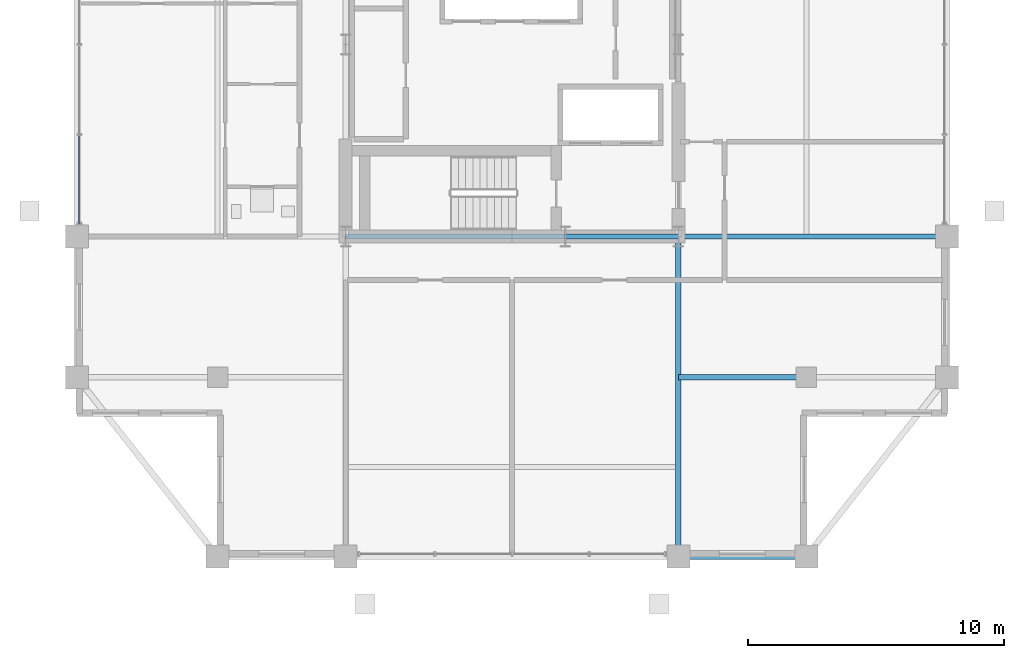
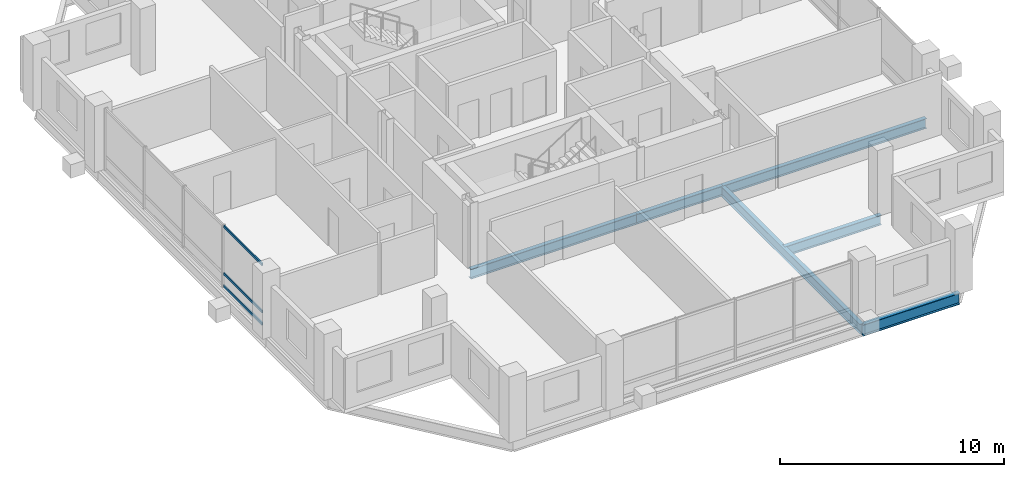
# One storey, part 5 of 21: 6 beams, 3 members, 1 element without a shape of its own.
"""IFC4 building model written with IfcOpenShell, lengths in metres."""

from ifc_helpers import new_model, si_unit, direction, frame, origin, origin_2d, place, context, subcontext, project, spatial, hollow_rectangle, i_section, extrude, material, layer, layer_set, material_profile, profile_set, type_object, element, aggregate, save


model = new_model("IFC4")

# Units and contexts
model_context = context("Model", 3, precision=1e-05, world=origin(), true_north=direction((0.0, 1.0)))
body_context = subcontext(model_context, "Body", "Model", "MODEL_VIEW")
ifc_project = project(units=[si_unit("LENGTHUNIT", "METRE"), si_unit("AREAUNIT", "SQUARE_METRE"), si_unit("VOLUMEUNIT", "CUBIC_METRE"), si_unit("PLANEANGLEUNIT", "RADIAN"), si_unit("MASSUNIT", "GRAM", prefix="KILO")], contexts=[model_context])

# Site, building, storey
site_placement = place(None, origin())
site = spatial("IfcSite", under=ifc_project, at=site_placement, CompositionType="ELEMENT")
building_placement = place(site_placement, origin())
building = spatial("IfcBuilding", under=site, at=building_placement, Name="Barlavira Tower and Art Museum", CompositionType="ELEMENT")
storey_placement = place(building_placement, frame((0.0, 0.0, 222.300048828125)))
storey = spatial("IfcBuildingStorey", under=building, at=storey_placement, Name="L57", CompositionType="ELEMENT", Elevation=222.300048828125)

# Curtain wall, members
ifc_material_1 = material(Name="Low-iron coastal laminated glass", Category="glass")
ifc_layer = layer(ifc_material_1, 0.2099609375, Name="Low-iron coastal laminated glass")
ifc_layer_set = layer_set([ifc_layer], Name="Low-iron coastal laminated glass")
curtain_wall_type = type_object("IfcCurtainWallType", Name="Pale-Metal Unitised Curtain Wall Zone 4", PredefinedType="NOTDEFINED", material=ifc_layer_set)
curtain_wall_placement = place(storey_placement, origin())
curtain_wall = element("IfcCurtainWall", 1, at=curtain_wall_placement, inside=storey, type_object=curtain_wall_type, Name="L57 Curtain Wall CW4-L57-W-B3", PredefinedType="NOTDEFINED")
ifc_material_2 = material(Name="Pale anodised aluminium", Category="aluminium")
ifc_material_profile_1 = material_profile(ifc_material_2, hollow_rectangle(XDim=0.06494140625, YDim=0.139892578125, WallThickness=0.00390625, at=origin_2d()), Name="ALU-TRAN 65x140x4")
ifc_profile_set_1 = profile_set([ifc_material_profile_1], Name="Pale anodised aluminium")
member_type = type_object("IfcMemberType", Name="Curtain Wall Pale-Metal Transom 65x140", PredefinedType="USERDEFINED", material=ifc_profile_set_1)
member_1_placement = place(storey_placement, frame((-16.89990234375, -3.56005859375, 0.070068359375), z_axis=(0.0, -1.0, 0.0), x_axis=(1.0, 0.0, 0.0)))
member_1 = element("IfcMember", 2, at=member_1_placement, type_object=member_type, Name="CW4-L57-W-B3 Transom 3.1", ObjectType="TRANSOM", PredefinedType="USERDEFINED", context=body_context, shape_type="SweptSolid", body=[
    extrude(hollow_rectangle(XDim=0.06494140625, YDim=0.139892578125, WallThickness=0.00390625, at=origin_2d()), origin(), (0.0, 0.0, 1.0), 3.425048828125),
])
member_2_placement = place(storey_placement, frame((-16.89990234375, -3.56005859375, 0.743896484375), z_axis=(0.0, -1.0, 0.0), x_axis=(1.0, 0.0, 0.0)))
member_2 = element("IfcMember", 3, at=member_2_placement, type_object=member_type, Name="CW4-L57-W-B3 Transom 3.2", ObjectType="TRANSOM", PredefinedType="USERDEFINED", context=body_context, shape_type="SweptSolid", body=[
    extrude(hollow_rectangle(XDim=0.06494140625, YDim=0.139892578125, WallThickness=0.00390625, at=origin_2d()), origin(), (0.0, 0.0, 1.0), 3.425048828125),
])
member_3_placement = place(storey_placement, frame((-16.89990234375, -3.56005859375, 3.31005859375), z_axis=(0.0, -1.0, 0.0), x_axis=(1.0, 0.0, 0.0)))
member_3 = element("IfcMember", 4, at=member_3_placement, type_object=member_type, Name="CW4-L57-W-B3 Transom 3.3", ObjectType="TRANSOM", PredefinedType="USERDEFINED", context=body_context, shape_type="SweptSolid", body=[
    extrude(hollow_rectangle(XDim=0.06494140625, YDim=0.139892578125, WallThickness=0.00390625, at=origin_2d()), origin(), (0.0, 0.0, 1.0), 3.425048828125),
])
aggregate(curtain_wall, [member_1, member_2, member_3])

# Beams
ifc_material_3 = material(Name="Steel S355", Category="steel")
ifc_material_profile_2 = material_profile(ifc_material_3, i_section(OverallWidth=0.22998046875, OverallDepth=0.616943359375, WebThickness=0.01318359375, FlangeThickness=0.022216796875, at=origin_2d()), Name="W610x140.0")
ifc_profile_set_2 = profile_set([ifc_material_profile_2], Name="Steel S355")
beam_type_1 = type_object("IfcBeamType", Name="Upper Shaft Spandrel Edge Beam W610x140 Steel S355", PredefinedType="SPANDREL", material=ifc_profile_set_2)
beam_1_placement = place(storey_placement, frame((6.5, -20.0, -0.528564453125), z_axis=(1.0, 0.0, 0.0), x_axis=(0.0, 1.0, 0.0)))
element("IfcBeam", 5, at=beam_1_placement, inside=storey, type_object=beam_type_1, Name="L57 Spandrel 3", PredefinedType="SPANDREL", context=body_context, shape_type="SweptSolid", body=[
    extrude(i_section(OverallWidth=0.22998046875, OverallDepth=0.616943359375, WebThickness=0.01318359375, FlangeThickness=0.022216796875, at=origin_2d()), origin(), (0.0, 0.0, 1.0), 5.0),
])
ifc_material_profile_3 = material_profile(ifc_material_3, i_section(OverallWidth=0.2109375, OverallDepth=0.5390625, WebThickness=0.01171875, FlangeThickness=0.018798828125, at=origin_2d()), Name="W530x109.0")
ifc_profile_set_3 = profile_set([ifc_material_profile_3], Name="Steel S355")
beam_type_2 = type_object("IfcBeamType", Name="Zone 3-4 Primary Floor Girder W530x109 Steel S355", PredefinedType="BEAM", material=ifc_profile_set_3)
beam_2_placement = place(storey_placement, frame((-6.5, -7.5, -0.489501953125), z_axis=(1.0, 0.0, 0.0), x_axis=(0.0, 1.0, 0.0)))
element("IfcBeam", 6, at=beam_2_placement, inside=storey, type_object=beam_type_2, Name="L57 Girder C-S1", PredefinedType="BEAM", context=body_context, shape_type="SweptSolid", body=[
    extrude(i_section(OverallWidth=0.2109375, OverallDepth=0.5390625, WebThickness=0.01171875, FlangeThickness=0.018798828125, at=origin_2d()), origin(), (0.0, 0.0, 1.0), 8.580078125),
])
beam_3_placement = place(storey_placement, frame((2.080078125, -7.5, -0.489501953125), z_axis=(1.0, 0.0, 0.0), x_axis=(0.0, 1.0, 0.0)))
element("IfcBeam", 7, at=beam_3_placement, inside=storey, type_object=beam_type_2, Name="L57 Girder C-S2", PredefinedType="BEAM", context=body_context, shape_type="SweptSolid", body=[
    extrude(i_section(OverallWidth=0.2109375, OverallDepth=0.5390625, WebThickness=0.01171875, FlangeThickness=0.018798828125, at=origin_2d()), origin(), (0.0, 0.0, 1.0), 4.419921875),
])
beam_4_placement = place(storey_placement, frame((6.5, -20.0, -0.489501953125), z_axis=(0.0, 1.0, 0.0), x_axis=(-1.0, 0.0, 0.0)))
element("IfcBeam", 8, at=beam_4_placement, inside=storey, type_object=beam_type_2, Name="L57 Girder R-S2", PredefinedType="BEAM", context=body_context, shape_type="SweptSolid", body=[
    extrude(i_section(OverallWidth=0.2109375, OverallDepth=0.5390625, WebThickness=0.01171875, FlangeThickness=0.018798828125, at=origin_2d()), origin(), (0.0, 0.0, 1.0), 12.5),
])
beam_5_placement = place(storey_placement, frame((6.5, -7.5, -0.489501953125), z_axis=(1.0, 0.0, 0.0), x_axis=(0.0, 1.0, 0.0)))
element("IfcBeam", 9, at=beam_5_placement, inside=storey, type_object=beam_type_2, Name="L57 Girder R-E1", PredefinedType="BEAM", context=body_context, shape_type="SweptSolid", body=[
    extrude(i_section(OverallWidth=0.2109375, OverallDepth=0.5390625, WebThickness=0.01171875, FlangeThickness=0.018798828125, at=origin_2d()), origin(), (0.0, 0.0, 1.0), 10.5),
])
beam_6_placement = place(storey_placement, frame((6.5, -13.0, -0.489501953125), z_axis=(1.0, 0.0, 0.0), x_axis=(0.0, 1.0, 0.0)))
element("IfcBeam", 10, at=beam_6_placement, inside=storey, type_object=beam_type_2, Name="L57 Girder I-S3", PredefinedType="BEAM", context=body_context, shape_type="SweptSolid", body=[
    extrude(i_section(OverallWidth=0.2109375, OverallDepth=0.5390625, WebThickness=0.01171875, FlangeThickness=0.018798828125, at=origin_2d()), origin(), (0.0, 0.0, 1.0), 5.0),
])

save(model, "model.ifc")
